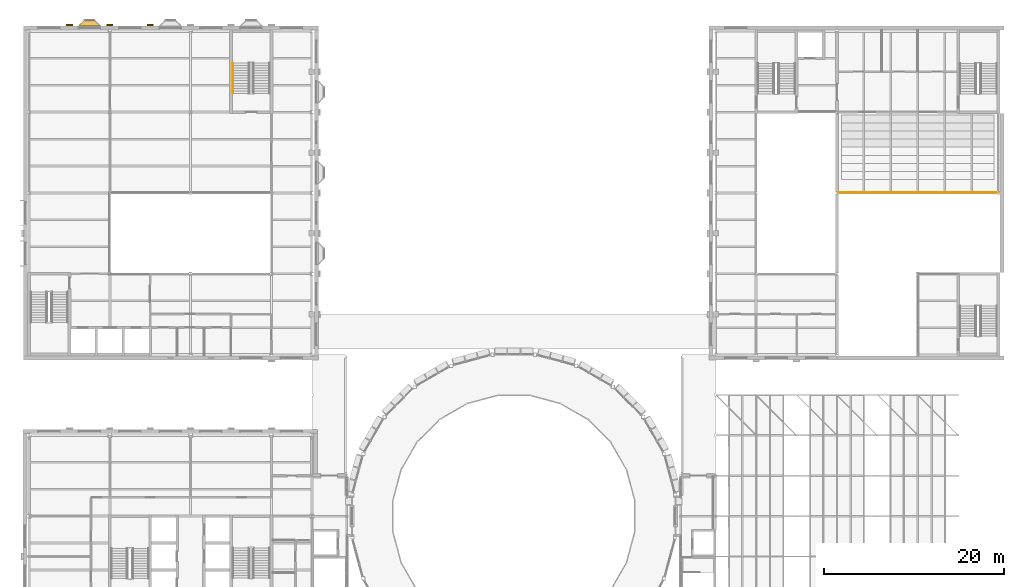
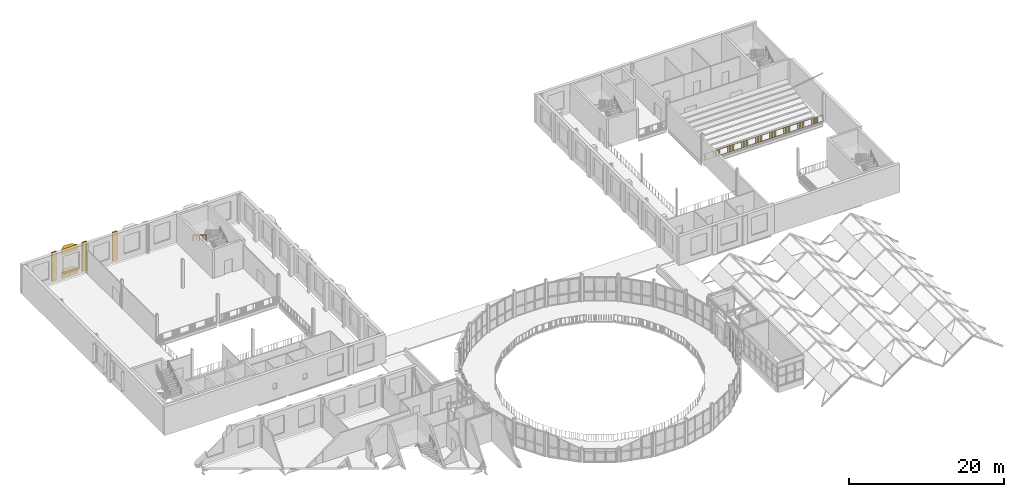
# One storey, part 71 of 74: 5 coverings, 2 railings.
"""IFC4 building model written with IfcOpenShell, lengths in metres."""

from ifc_helpers import new_model, si_unit, direction, frame, origin, origin_2d, place, context, subcontext, project, spatial, polyline, rectangle, circle, outline, extrude, material, layer, layer_set, type_object, element, save


model = new_model("IFC4")

# Units and contexts
model_context = context("Model", 3, precision=1e-05, world=origin(), true_north=direction((0.0, 1.0)))
body_context = subcontext(model_context, "Body", "Model", "MODEL_VIEW")
ifc_project = project(units=[si_unit("LENGTHUNIT", "METRE"), si_unit("AREAUNIT", "SQUARE_METRE"), si_unit("VOLUMEUNIT", "CUBIC_METRE"), si_unit("PLANEANGLEUNIT", "RADIAN"), si_unit("MASSUNIT", "GRAM", prefix="KILO")], contexts=[model_context])

# Site, building, storey
site_placement = place(None, origin())
site = spatial("IfcSite", under=ifc_project, at=site_placement, CompositionType="ELEMENT")
building_placement = place(site_placement, origin())
building = spatial("IfcBuilding", under=site, at=building_placement, Name="Hortulan Conservatory and Botanical Research Centre", CompositionType="ELEMENT")
storey_placement = place(building_placement, frame((0.0, 0.0, 6.0)))
storey = spatial("IfcBuildingStorey", under=building, at=storey_placement, Name="L01", CompositionType="ELEMENT", Elevation=6.0)

# Coverings
ifc_material_1 = material(Name="Faience-faced brickwork masonry", Category="masonry")
covering_type_1 = type_object("IfcCoveringType", Name="Faience Oriel Base", PredefinedType="CLADDING", material=ifc_material_1)
covering_1_placement = place(storey_placement, origin())
element("IfcCovering", 1, at=covering_1_placement, inside=storey, type_object=covering_type_1, Name="Oriel base", PredefinedType="CLADDING", context=body_context, shape_type="SweptSolid", body=[
    extrude(outline(polyline([(5.550048828125, 72.610595703125), (6.14990234375, 73.21044921875), (7.35009765625, 73.21044921875), (7.949951171875, 72.610595703125), (5.550048828125, 72.610595703125)])), origin(), (0.0, 0.0, 1.0), 0.89990234375),
])
covering_type_2 = type_object("IfcCoveringType", Name="Faience Oriel Frieze", PredefinedType="CLADDING", material=ifc_material_1)
covering_2_placement = place(storey_placement, frame((0.0, 0.0, 3.699951171875)))
element("IfcCovering", 2, at=covering_2_placement, inside=storey, type_object=covering_type_2, Name="Oriel frieze", PredefinedType="CLADDING", context=body_context, shape_type="SweptSolid", body=[
    extrude(outline(polyline([(5.550048828125, 72.610595703125), (6.14990234375, 73.21044921875), (7.35009765625, 73.21044921875), (7.949951171875, 72.610595703125), (5.550048828125, 72.610595703125)])), origin(), (0.0, 0.0, 1.0), 0.800048828125),
])

# Railing
ifc_material_2 = material(Name="Wrought iron guard, bronze-charcoal paint", Category="metal")
railing_type_1 = type_object("IfcRailingType", Name="Ironwork Void Guard 1100", PredefinedType="GUARDRAIL", material=ifc_material_2)
railing_1_placement = place(storey_placement, frame((90.19677734375, 54.06005859375, 0.0)))
element("IfcRailing", 3, at=railing_1_placement, inside=storey, type_object=railing_type_1, Name="Guard L01 Aud Hall L01 1 7", PredefinedType="GUARDRAIL", context=body_context, shape_type="SweptSolid", body=[
    extrude(circle(Radius=0.02392578125, at=origin_2d()), frame((0.0, 0.0, 1.076171875), z_axis=(1.0, 0.0, 0.0), x_axis=(0.0, 1.0, 0.0)), (0.0, 0.0, 1.0), 17.837646484375),
    extrude(circle(Radius=0.02392578125, at=origin_2d()), frame((0.0, 0.0, 0.1240234375), z_axis=(1.0, 0.0, 0.0), x_axis=(0.0, 1.0, 0.0)), (0.0, 0.0, 1.0), 17.837646484375),
    extrude(circle(Radius=0.008056640625, at=origin_2d()), frame((0.109375, 0.0, 0.148193359375)), (0.0, 0.0, 1.0), 0.90380859375),
    extrude(circle(Radius=0.008056640625, at=origin_2d()), frame((0.21875, 0.0, 0.148193359375)), (0.0, 0.0, 1.0), 0.90380859375),
    extrude(circle(Radius=0.008056640625, at=origin_2d()), frame((0.328369140625, 0.0, 0.148193359375)), (0.0, 0.0, 1.0), 0.90380859375),
    extrude(circle(Radius=0.008056640625, at=origin_2d()), frame((0.437744140625, 0.0, 0.148193359375)), (0.0, 0.0, 1.0), 0.90380859375),
    extrude(circle(Radius=0.008056640625, at=origin_2d()), frame((0.547119140625, 0.0, 0.148193359375)), (0.0, 0.0, 1.0), 0.90380859375),
    extrude(circle(Radius=0.008056640625, at=origin_2d()), frame((0.656494140625, 0.0, 0.148193359375)), (0.0, 0.0, 1.0), 0.90380859375),
    extrude(circle(Radius=0.008056640625, at=origin_2d()), frame((0.76611328125, 0.0, 0.148193359375)), (0.0, 0.0, 1.0), 0.90380859375),
    extrude(circle(Radius=0.008056640625, at=origin_2d()), frame((0.87548828125, 0.0, 0.148193359375)), (0.0, 0.0, 1.0), 0.90380859375),
    extrude(circle(Radius=0.008056640625, at=origin_2d()), frame((0.98486328125, 0.0, 0.148193359375)), (0.0, 0.0, 1.0), 0.90380859375),
    extrude(circle(Radius=0.008056640625, at=origin_2d()), frame((1.09423828125, 0.0, 0.148193359375)), (0.0, 0.0, 1.0), 0.90380859375),
    extrude(circle(Radius=0.008056640625, at=origin_2d()), frame((1.203857421875, 0.0, 0.148193359375)), (0.0, 0.0, 1.0), 0.90380859375),
    extrude(circle(Radius=0.008056640625, at=origin_2d()), frame((1.313232421875, 0.0, 0.148193359375)), (0.0, 0.0, 1.0), 0.90380859375),
    extrude(circle(Radius=0.008056640625, at=origin_2d()), frame((1.422607421875, 0.0, 0.148193359375)), (0.0, 0.0, 1.0), 0.90380859375),
    extrude(circle(Radius=0.008056640625, at=origin_2d()), frame((1.531982421875, 0.0, 0.148193359375)), (0.0, 0.0, 1.0), 0.90380859375),
    extrude(circle(Radius=0.008056640625, at=origin_2d()), frame((1.6416015625, 0.0, 0.148193359375)), (0.0, 0.0, 1.0), 0.90380859375),
    extrude(circle(Radius=0.008056640625, at=origin_2d()), frame((1.7509765625, 0.0, 0.148193359375)), (0.0, 0.0, 1.0), 0.90380859375),
    extrude(circle(Radius=0.008056640625, at=origin_2d()), frame((1.8603515625, 0.0, 0.148193359375)), (0.0, 0.0, 1.0), 0.90380859375),
    extrude(circle(Radius=0.008056640625, at=origin_2d()), frame((1.9697265625, 0.0, 0.148193359375)), (0.0, 0.0, 1.0), 0.90380859375),
    extrude(circle(Radius=0.008056640625, at=origin_2d()), frame((2.079345703125, 0.0, 0.148193359375)), (0.0, 0.0, 1.0), 0.90380859375),
    extrude(circle(Radius=0.008056640625, at=origin_2d()), frame((2.188720703125, 0.0, 0.148193359375)), (0.0, 0.0, 1.0), 0.90380859375),
    extrude(circle(Radius=0.008056640625, at=origin_2d()), frame((2.298095703125, 0.0, 0.148193359375)), (0.0, 0.0, 1.0), 0.90380859375),
    extrude(circle(Radius=0.008056640625, at=origin_2d()), frame((2.407470703125, 0.0, 0.148193359375)), (0.0, 0.0, 1.0), 0.90380859375),
    extrude(circle(Radius=0.008056640625, at=origin_2d()), frame((2.51708984375, 0.0, 0.148193359375)), (0.0, 0.0, 1.0), 0.90380859375),
    extrude(circle(Radius=0.008056640625, at=origin_2d()), frame((2.62646484375, 0.0, 0.148193359375)), (0.0, 0.0, 1.0), 0.90380859375),
    extrude(circle(Radius=0.008056640625, at=origin_2d()), frame((2.73583984375, 0.0, 0.148193359375)), (0.0, 0.0, 1.0), 0.90380859375),
    extrude(circle(Radius=0.008056640625, at=origin_2d()), frame((2.84521484375, 0.0, 0.148193359375)), (0.0, 0.0, 1.0), 0.90380859375),
    extrude(circle(Radius=0.008056640625, at=origin_2d()), frame((2.95458984375, 0.0, 0.148193359375)), (0.0, 0.0, 1.0), 0.90380859375),
    extrude(circle(Radius=0.008056640625, at=origin_2d()), frame((3.064208984375, 0.0, 0.148193359375)), (0.0, 0.0, 1.0), 0.90380859375),
    extrude(circle(Radius=0.008056640625, at=origin_2d()), frame((3.173583984375, 0.0, 0.148193359375)), (0.0, 0.0, 1.0), 0.90380859375),
    extrude(circle(Radius=0.008056640625, at=origin_2d()), frame((3.282958984375, 0.0, 0.148193359375)), (0.0, 0.0, 1.0), 0.90380859375),
    extrude(circle(Radius=0.008056640625, at=origin_2d()), frame((3.392333984375, 0.0, 0.148193359375)), (0.0, 0.0, 1.0), 0.90380859375),
    extrude(circle(Radius=0.008056640625, at=origin_2d()), frame((3.501953125, 0.0, 0.148193359375)), (0.0, 0.0, 1.0), 0.90380859375),
    extrude(circle(Radius=0.008056640625, at=origin_2d()), frame((3.611328125, 0.0, 0.148193359375)), (0.0, 0.0, 1.0), 0.90380859375),
    extrude(circle(Radius=0.008056640625, at=origin_2d()), frame((3.720703125, 0.0, 0.148193359375)), (0.0, 0.0, 1.0), 0.90380859375),
    extrude(circle(Radius=0.008056640625, at=origin_2d()), frame((3.830078125, 0.0, 0.148193359375)), (0.0, 0.0, 1.0), 0.90380859375),
    extrude(circle(Radius=0.008056640625, at=origin_2d()), frame((3.939697265625, 0.0, 0.148193359375)), (0.0, 0.0, 1.0), 0.90380859375),
    extrude(circle(Radius=0.008056640625, at=origin_2d()), frame((4.049072265625, 0.0, 0.148193359375)), (0.0, 0.0, 1.0), 0.90380859375),
    extrude(circle(Radius=0.008056640625, at=origin_2d()), frame((4.158447265625, 0.0, 0.148193359375)), (0.0, 0.0, 1.0), 0.90380859375),
    extrude(circle(Radius=0.008056640625, at=origin_2d()), frame((4.267822265625, 0.0, 0.148193359375)), (0.0, 0.0, 1.0), 0.90380859375),
    extrude(circle(Radius=0.008056640625, at=origin_2d()), frame((4.37744140625, 0.0, 0.148193359375)), (0.0, 0.0, 1.0), 0.90380859375),
    extrude(circle(Radius=0.008056640625, at=origin_2d()), frame((4.48681640625, 0.0, 0.148193359375)), (0.0, 0.0, 1.0), 0.90380859375),
    extrude(circle(Radius=0.008056640625, at=origin_2d()), frame((4.59619140625, 0.0, 0.148193359375)), (0.0, 0.0, 1.0), 0.90380859375),
    extrude(circle(Radius=0.008056640625, at=origin_2d()), frame((4.70556640625, 0.0, 0.148193359375)), (0.0, 0.0, 1.0), 0.90380859375),
    extrude(circle(Radius=0.008056640625, at=origin_2d()), frame((4.815185546875, 0.0, 0.148193359375)), (0.0, 0.0, 1.0), 0.90380859375),
    extrude(circle(Radius=0.008056640625, at=origin_2d()), frame((4.924560546875, 0.0, 0.148193359375)), (0.0, 0.0, 1.0), 0.90380859375),
    extrude(circle(Radius=0.008056640625, at=origin_2d()), frame((5.033935546875, 0.0, 0.148193359375)), (0.0, 0.0, 1.0), 0.90380859375),
    extrude(circle(Radius=0.008056640625, at=origin_2d()), frame((5.143310546875, 0.0, 0.148193359375)), (0.0, 0.0, 1.0), 0.90380859375),
    extrude(circle(Radius=0.008056640625, at=origin_2d()), frame((5.252685546875, 0.0, 0.148193359375)), (0.0, 0.0, 1.0), 0.90380859375),
    extrude(circle(Radius=0.008056640625, at=origin_2d()), frame((5.3623046875, 0.0, 0.148193359375)), (0.0, 0.0, 1.0), 0.90380859375),
    extrude(circle(Radius=0.008056640625, at=origin_2d()), frame((5.4716796875, 0.0, 0.148193359375)), (0.0, 0.0, 1.0), 0.90380859375),
    extrude(circle(Radius=0.008056640625, at=origin_2d()), frame((5.5810546875, 0.0, 0.148193359375)), (0.0, 0.0, 1.0), 0.90380859375),
    extrude(circle(Radius=0.008056640625, at=origin_2d()), frame((5.6904296875, 0.0, 0.148193359375)), (0.0, 0.0, 1.0), 0.90380859375),
    extrude(circle(Radius=0.008056640625, at=origin_2d()), frame((5.800048828125, 0.0, 0.148193359375)), (0.0, 0.0, 1.0), 0.90380859375),
    extrude(circle(Radius=0.008056640625, at=origin_2d()), frame((5.909423828125, 0.0, 0.148193359375)), (0.0, 0.0, 1.0), 0.90380859375),
    extrude(circle(Radius=0.008056640625, at=origin_2d()), frame((6.018798828125, 0.0, 0.148193359375)), (0.0, 0.0, 1.0), 0.90380859375),
    extrude(circle(Radius=0.008056640625, at=origin_2d()), frame((6.128173828125, 0.0, 0.148193359375)), (0.0, 0.0, 1.0), 0.90380859375),
    extrude(circle(Radius=0.008056640625, at=origin_2d()), frame((6.23779296875, 0.0, 0.148193359375)), (0.0, 0.0, 1.0), 0.90380859375),
    extrude(circle(Radius=0.008056640625, at=origin_2d()), frame((6.34716796875, 0.0, 0.148193359375)), (0.0, 0.0, 1.0), 0.90380859375),
    extrude(circle(Radius=0.008056640625, at=origin_2d()), frame((6.45654296875, 0.0, 0.148193359375)), (0.0, 0.0, 1.0), 0.90380859375),
    extrude(circle(Radius=0.008056640625, at=origin_2d()), frame((6.56591796875, 0.0, 0.148193359375)), (0.0, 0.0, 1.0), 0.90380859375),
    extrude(circle(Radius=0.008056640625, at=origin_2d()), frame((6.675537109375, 0.0, 0.148193359375)), (0.0, 0.0, 1.0), 0.90380859375),
    extrude(circle(Radius=0.008056640625, at=origin_2d()), frame((6.784912109375, 0.0, 0.148193359375)), (0.0, 0.0, 1.0), 0.90380859375),
    extrude(circle(Radius=0.008056640625, at=origin_2d()), frame((6.894287109375, 0.0, 0.148193359375)), (0.0, 0.0, 1.0), 0.90380859375),
    extrude(circle(Radius=0.008056640625, at=origin_2d()), frame((7.003662109375, 0.0, 0.148193359375)), (0.0, 0.0, 1.0), 0.90380859375),
    extrude(circle(Radius=0.008056640625, at=origin_2d()), frame((7.11328125, 0.0, 0.148193359375)), (0.0, 0.0, 1.0), 0.90380859375),
    extrude(circle(Radius=0.008056640625, at=origin_2d()), frame((7.22265625, 0.0, 0.148193359375)), (0.0, 0.0, 1.0), 0.90380859375),
    extrude(circle(Radius=0.008056640625, at=origin_2d()), frame((7.33203125, 0.0, 0.148193359375)), (0.0, 0.0, 1.0), 0.90380859375),
    extrude(circle(Radius=0.008056640625, at=origin_2d()), frame((7.44140625, 0.0, 0.148193359375)), (0.0, 0.0, 1.0), 0.90380859375),
    extrude(circle(Radius=0.008056640625, at=origin_2d()), frame((7.551025390625, 0.0, 0.148193359375)), (0.0, 0.0, 1.0), 0.90380859375),
    extrude(circle(Radius=0.008056640625, at=origin_2d()), frame((7.660400390625, 0.0, 0.148193359375)), (0.0, 0.0, 1.0), 0.90380859375),
    extrude(circle(Radius=0.008056640625, at=origin_2d()), frame((7.769775390625, 0.0, 0.148193359375)), (0.0, 0.0, 1.0), 0.90380859375),
    extrude(circle(Radius=0.008056640625, at=origin_2d()), frame((7.879150390625, 0.0, 0.148193359375)), (0.0, 0.0, 1.0), 0.90380859375),
    extrude(circle(Radius=0.008056640625, at=origin_2d()), frame((7.988525390625, 0.0, 0.148193359375)), (0.0, 0.0, 1.0), 0.90380859375),
    extrude(circle(Radius=0.008056640625, at=origin_2d()), frame((8.09814453125, 0.0, 0.148193359375)), (0.0, 0.0, 1.0), 0.90380859375),
    extrude(circle(Radius=0.008056640625, at=origin_2d()), frame((8.20751953125, 0.0, 0.148193359375)), (0.0, 0.0, 1.0), 0.90380859375),
    extrude(circle(Radius=0.008056640625, at=origin_2d()), frame((8.31689453125, 0.0, 0.148193359375)), (0.0, 0.0, 1.0), 0.90380859375),
    extrude(circle(Radius=0.008056640625, at=origin_2d()), frame((8.42626953125, 0.0, 0.148193359375)), (0.0, 0.0, 1.0), 0.90380859375),
    extrude(circle(Radius=0.008056640625, at=origin_2d()), frame((8.535888671875, 0.0, 0.148193359375)), (0.0, 0.0, 1.0), 0.90380859375),
    extrude(circle(Radius=0.008056640625, at=origin_2d()), frame((8.645263671875, 0.0, 0.148193359375)), (0.0, 0.0, 1.0), 0.90380859375),
    extrude(circle(Radius=0.008056640625, at=origin_2d()), frame((8.754638671875, 0.0, 0.148193359375)), (0.0, 0.0, 1.0), 0.90380859375),
    extrude(circle(Radius=0.008056640625, at=origin_2d()), frame((8.864013671875, 0.0, 0.148193359375)), (0.0, 0.0, 1.0), 0.90380859375),
    extrude(circle(Radius=0.008056640625, at=origin_2d()), frame((8.9736328125, 0.0, 0.148193359375)), (0.0, 0.0, 1.0), 0.90380859375),
    extrude(circle(Radius=0.008056640625, at=origin_2d()), frame((9.0830078125, 0.0, 0.148193359375)), (0.0, 0.0, 1.0), 0.90380859375),
    extrude(circle(Radius=0.008056640625, at=origin_2d()), frame((9.1923828125, 0.0, 0.148193359375)), (0.0, 0.0, 1.0), 0.90380859375),
    extrude(circle(Radius=0.008056640625, at=origin_2d()), frame((9.3017578125, 0.0, 0.148193359375)), (0.0, 0.0, 1.0), 0.90380859375),
    extrude(circle(Radius=0.008056640625, at=origin_2d()), frame((9.411376953125, 0.0, 0.148193359375)), (0.0, 0.0, 1.0), 0.90380859375),
    extrude(circle(Radius=0.008056640625, at=origin_2d()), frame((9.520751953125, 0.0, 0.148193359375)), (0.0, 0.0, 1.0), 0.90380859375),
    extrude(circle(Radius=0.008056640625, at=origin_2d()), frame((9.630126953125, 0.0, 0.148193359375)), (0.0, 0.0, 1.0), 0.90380859375),
    extrude(circle(Radius=0.008056640625, at=origin_2d()), frame((9.739501953125, 0.0, 0.148193359375)), (0.0, 0.0, 1.0), 0.90380859375),
    extrude(circle(Radius=0.008056640625, at=origin_2d()), frame((9.84912109375, 0.0, 0.148193359375)), (0.0, 0.0, 1.0), 0.90380859375),
    extrude(circle(Radius=0.008056640625, at=origin_2d()), frame((9.95849609375, 0.0, 0.148193359375)), (0.0, 0.0, 1.0), 0.90380859375),
    extrude(circle(Radius=0.008056640625, at=origin_2d()), frame((10.06787109375, 0.0, 0.148193359375)), (0.0, 0.0, 1.0), 0.90380859375),
    extrude(circle(Radius=0.008056640625, at=origin_2d()), frame((10.17724609375, 0.0, 0.148193359375)), (0.0, 0.0, 1.0), 0.90380859375),
    extrude(circle(Radius=0.008056640625, at=origin_2d()), frame((10.28662109375, 0.0, 0.148193359375)), (0.0, 0.0, 1.0), 0.90380859375),
    extrude(circle(Radius=0.008056640625, at=origin_2d()), frame((10.396240234375, 0.0, 0.148193359375)), (0.0, 0.0, 1.0), 0.90380859375),
    extrude(circle(Radius=0.008056640625, at=origin_2d()), frame((10.505615234375, 0.0, 0.148193359375)), (0.0, 0.0, 1.0), 0.90380859375),
    extrude(circle(Radius=0.008056640625, at=origin_2d()), frame((10.614990234375, 0.0, 0.148193359375)), (0.0, 0.0, 1.0), 0.90380859375),
    extrude(circle(Radius=0.008056640625, at=origin_2d()), frame((10.724365234375, 0.0, 0.148193359375)), (0.0, 0.0, 1.0), 0.90380859375),
    extrude(circle(Radius=0.008056640625, at=origin_2d()), frame((10.833984375, 0.0, 0.148193359375)), (0.0, 0.0, 1.0), 0.90380859375),
    extrude(circle(Radius=0.008056640625, at=origin_2d()), frame((10.943359375, 0.0, 0.148193359375)), (0.0, 0.0, 1.0), 0.90380859375),
    extrude(circle(Radius=0.008056640625, at=origin_2d()), frame((11.052734375, 0.0, 0.148193359375)), (0.0, 0.0, 1.0), 0.90380859375),
    extrude(circle(Radius=0.008056640625, at=origin_2d()), frame((11.162109375, 0.0, 0.148193359375)), (0.0, 0.0, 1.0), 0.90380859375),
    extrude(circle(Radius=0.008056640625, at=origin_2d()), frame((11.271728515625, 0.0, 0.148193359375)), (0.0, 0.0, 1.0), 0.90380859375),
    extrude(circle(Radius=0.008056640625, at=origin_2d()), frame((11.381103515625, 0.0, 0.148193359375)), (0.0, 0.0, 1.0), 0.90380859375),
    extrude(circle(Radius=0.008056640625, at=origin_2d()), frame((11.490478515625, 0.0, 0.148193359375)), (0.0, 0.0, 1.0), 0.90380859375),
    extrude(circle(Radius=0.008056640625, at=origin_2d()), frame((11.599853515625, 0.0, 0.148193359375)), (0.0, 0.0, 1.0), 0.90380859375),
    extrude(circle(Radius=0.008056640625, at=origin_2d()), frame((11.70947265625, 0.0, 0.148193359375)), (0.0, 0.0, 1.0), 0.90380859375),
    extrude(circle(Radius=0.008056640625, at=origin_2d()), frame((11.81884765625, 0.0, 0.148193359375)), (0.0, 0.0, 1.0), 0.90380859375),
    extrude(circle(Radius=0.008056640625, at=origin_2d()), frame((11.92822265625, 0.0, 0.148193359375)), (0.0, 0.0, 1.0), 0.90380859375),
    extrude(circle(Radius=0.008056640625, at=origin_2d()), frame((12.03759765625, 0.0, 0.148193359375)), (0.0, 0.0, 1.0), 0.90380859375),
    extrude(circle(Radius=0.008056640625, at=origin_2d()), frame((12.147216796875, 0.0, 0.148193359375)), (0.0, 0.0, 1.0), 0.90380859375),
    extrude(circle(Radius=0.008056640625, at=origin_2d()), frame((12.256591796875, 0.0, 0.148193359375)), (0.0, 0.0, 1.0), 0.90380859375),
    extrude(circle(Radius=0.008056640625, at=origin_2d()), frame((12.365966796875, 0.0, 0.148193359375)), (0.0, 0.0, 1.0), 0.90380859375),
    extrude(circle(Radius=0.008056640625, at=origin_2d()), frame((12.475341796875, 0.0, 0.148193359375)), (0.0, 0.0, 1.0), 0.90380859375),
    extrude(circle(Radius=0.008056640625, at=origin_2d()), frame((12.5849609375, 0.0, 0.148193359375)), (0.0, 0.0, 1.0), 0.90380859375),
    extrude(circle(Radius=0.008056640625, at=origin_2d()), frame((12.6943359375, 0.0, 0.148193359375)), (0.0, 0.0, 1.0), 0.90380859375),
    extrude(circle(Radius=0.008056640625, at=origin_2d()), frame((12.8037109375, 0.0, 0.148193359375)), (0.0, 0.0, 1.0), 0.90380859375),
    extrude(circle(Radius=0.008056640625, at=origin_2d()), frame((12.9130859375, 0.0, 0.148193359375)), (0.0, 0.0, 1.0), 0.90380859375),
    extrude(circle(Radius=0.008056640625, at=origin_2d()), frame((13.0224609375, 0.0, 0.148193359375)), (0.0, 0.0, 1.0), 0.90380859375),
    extrude(circle(Radius=0.008056640625, at=origin_2d()), frame((13.132080078125, 0.0, 0.148193359375)), (0.0, 0.0, 1.0), 0.90380859375),
    extrude(circle(Radius=0.008056640625, at=origin_2d()), frame((13.241455078125, 0.0, 0.148193359375)), (0.0, 0.0, 1.0), 0.90380859375),
    extrude(circle(Radius=0.008056640625, at=origin_2d()), frame((13.350830078125, 0.0, 0.148193359375)), (0.0, 0.0, 1.0), 0.90380859375),
    extrude(circle(Radius=0.008056640625, at=origin_2d()), frame((13.460205078125, 0.0, 0.148193359375)), (0.0, 0.0, 1.0), 0.90380859375),
    extrude(circle(Radius=0.008056640625, at=origin_2d()), frame((13.56982421875, 0.0, 0.148193359375)), (0.0, 0.0, 1.0), 0.90380859375),
    extrude(circle(Radius=0.008056640625, at=origin_2d()), frame((13.67919921875, 0.0, 0.148193359375)), (0.0, 0.0, 1.0), 0.90380859375),
    extrude(circle(Radius=0.008056640625, at=origin_2d()), frame((13.78857421875, 0.0, 0.148193359375)), (0.0, 0.0, 1.0), 0.90380859375),
    extrude(circle(Radius=0.008056640625, at=origin_2d()), frame((13.89794921875, 0.0, 0.148193359375)), (0.0, 0.0, 1.0), 0.90380859375),
    extrude(circle(Radius=0.008056640625, at=origin_2d()), frame((14.007568359375, 0.0, 0.148193359375)), (0.0, 0.0, 1.0), 0.90380859375),
    extrude(circle(Radius=0.008056640625, at=origin_2d()), frame((14.116943359375, 0.0, 0.148193359375)), (0.0, 0.0, 1.0), 0.90380859375),
    extrude(circle(Radius=0.008056640625, at=origin_2d()), frame((14.226318359375, 0.0, 0.148193359375)), (0.0, 0.0, 1.0), 0.90380859375),
    extrude(circle(Radius=0.008056640625, at=origin_2d()), frame((14.335693359375, 0.0, 0.148193359375)), (0.0, 0.0, 1.0), 0.90380859375),
    extrude(circle(Radius=0.008056640625, at=origin_2d()), frame((14.4453125, 0.0, 0.148193359375)), (0.0, 0.0, 1.0), 0.90380859375),
    extrude(circle(Radius=0.008056640625, at=origin_2d()), frame((14.5546875, 0.0, 0.148193359375)), (0.0, 0.0, 1.0), 0.90380859375),
    extrude(circle(Radius=0.008056640625, at=origin_2d()), frame((14.6640625, 0.0, 0.148193359375)), (0.0, 0.0, 1.0), 0.90380859375),
    extrude(circle(Radius=0.008056640625, at=origin_2d()), frame((14.7734375, 0.0, 0.148193359375)), (0.0, 0.0, 1.0), 0.90380859375),
    extrude(circle(Radius=0.008056640625, at=origin_2d()), frame((14.883056640625, 0.0, 0.148193359375)), (0.0, 0.0, 1.0), 0.90380859375),
    extrude(circle(Radius=0.008056640625, at=origin_2d()), frame((14.992431640625, 0.0, 0.148193359375)), (0.0, 0.0, 1.0), 0.90380859375),
    extrude(circle(Radius=0.008056640625, at=origin_2d()), frame((15.101806640625, 0.0, 0.148193359375)), (0.0, 0.0, 1.0), 0.90380859375),
    extrude(circle(Radius=0.008056640625, at=origin_2d()), frame((15.211181640625, 0.0, 0.148193359375)), (0.0, 0.0, 1.0), 0.90380859375),
    extrude(circle(Radius=0.008056640625, at=origin_2d()), frame((15.320556640625, 0.0, 0.148193359375)), (0.0, 0.0, 1.0), 0.90380859375),
    extrude(circle(Radius=0.008056640625, at=origin_2d()), frame((15.43017578125, 0.0, 0.148193359375)), (0.0, 0.0, 1.0), 0.90380859375),
    extrude(circle(Radius=0.008056640625, at=origin_2d()), frame((15.53955078125, 0.0, 0.148193359375)), (0.0, 0.0, 1.0), 0.90380859375),
    extrude(circle(Radius=0.008056640625, at=origin_2d()), frame((15.64892578125, 0.0, 0.148193359375)), (0.0, 0.0, 1.0), 0.90380859375),
    extrude(circle(Radius=0.008056640625, at=origin_2d()), frame((15.75830078125, 0.0, 0.148193359375)), (0.0, 0.0, 1.0), 0.90380859375),
    extrude(circle(Radius=0.008056640625, at=origin_2d()), frame((15.867919921875, 0.0, 0.148193359375)), (0.0, 0.0, 1.0), 0.90380859375),
    extrude(circle(Radius=0.008056640625, at=origin_2d()), frame((15.977294921875, 0.0, 0.148193359375)), (0.0, 0.0, 1.0), 0.90380859375),
    extrude(circle(Radius=0.008056640625, at=origin_2d()), frame((16.086669921875, 0.0, 0.148193359375)), (0.0, 0.0, 1.0), 0.90380859375),
    extrude(circle(Radius=0.008056640625, at=origin_2d()), frame((16.196044921875, 0.0, 0.148193359375)), (0.0, 0.0, 1.0), 0.90380859375),
    extrude(circle(Radius=0.008056640625, at=origin_2d()), frame((16.3056640625, 0.0, 0.148193359375)), (0.0, 0.0, 1.0), 0.90380859375),
    extrude(circle(Radius=0.008056640625, at=origin_2d()), frame((16.4150390625, 0.0, 0.148193359375)), (0.0, 0.0, 1.0), 0.90380859375),
    extrude(circle(Radius=0.008056640625, at=origin_2d()), frame((16.5244140625, 0.0, 0.148193359375)), (0.0, 0.0, 1.0), 0.90380859375),
    extrude(circle(Radius=0.008056640625, at=origin_2d()), frame((16.6337890625, 0.0, 0.148193359375)), (0.0, 0.0, 1.0), 0.90380859375),
    extrude(circle(Radius=0.008056640625, at=origin_2d()), frame((16.743408203125, 0.0, 0.148193359375)), (0.0, 0.0, 1.0), 0.90380859375),
    extrude(circle(Radius=0.008056640625, at=origin_2d()), frame((16.852783203125, 0.0, 0.148193359375)), (0.0, 0.0, 1.0), 0.90380859375),
    extrude(circle(Radius=0.008056640625, at=origin_2d()), frame((16.962158203125, 0.0, 0.148193359375)), (0.0, 0.0, 1.0), 0.90380859375),
    extrude(circle(Radius=0.008056640625, at=origin_2d()), frame((17.071533203125, 0.0, 0.148193359375)), (0.0, 0.0, 1.0), 0.90380859375),
    extrude(circle(Radius=0.008056640625, at=origin_2d()), frame((17.18115234375, 0.0, 0.148193359375)), (0.0, 0.0, 1.0), 0.90380859375),
    extrude(circle(Radius=0.008056640625, at=origin_2d()), frame((17.29052734375, 0.0, 0.148193359375)), (0.0, 0.0, 1.0), 0.90380859375),
    extrude(circle(Radius=0.008056640625, at=origin_2d()), frame((17.39990234375, 0.0, 0.148193359375)), (0.0, 0.0, 1.0), 0.90380859375),
    extrude(circle(Radius=0.008056640625, at=origin_2d()), frame((17.50927734375, 0.0, 0.148193359375)), (0.0, 0.0, 1.0), 0.90380859375),
    extrude(circle(Radius=0.008056640625, at=origin_2d()), frame((17.618896484375, 0.0, 0.148193359375)), (0.0, 0.0, 1.0), 0.90380859375),
    extrude(circle(Radius=0.008056640625, at=origin_2d()), frame((17.728271484375, 0.0, 0.148193359375)), (0.0, 0.0, 1.0), 0.90380859375),
    extrude(circle(Radius=0.02099609375, at=origin_2d()), origin(), (0.0, 0.0, 1.0), 1.052001953125),
    extrude(circle(Radius=0.02099609375, at=origin_2d()), frame((1.189208984375, 0.0, 0.0)), (0.0, 0.0, 1.0), 1.052001953125),
    extrude(circle(Radius=0.02099609375, at=origin_2d()), frame((2.37841796875, 0.0, 0.0)), (0.0, 0.0, 1.0), 1.052001953125),
    extrude(circle(Radius=0.02099609375, at=origin_2d()), frame((3.567626953125, 0.0, 0.0)), (0.0, 0.0, 1.0), 1.052001953125),
    extrude(circle(Radius=0.02099609375, at=origin_2d()), frame((4.756591796875, 0.0, 0.0)), (0.0, 0.0, 1.0), 1.052001953125),
    extrude(circle(Radius=0.02099609375, at=origin_2d()), frame((5.94580078125, 0.0, 0.0)), (0.0, 0.0, 1.0), 1.052001953125),
    extrude(circle(Radius=0.02099609375, at=origin_2d()), frame((7.135009765625, 0.0, 0.0)), (0.0, 0.0, 1.0), 1.052001953125),
    extrude(circle(Radius=0.02099609375, at=origin_2d()), frame((8.32421875, 0.0, 0.0)), (0.0, 0.0, 1.0), 1.052001953125),
    extrude(circle(Radius=0.02099609375, at=origin_2d()), frame((9.513427734375, 0.0, 0.0)), (0.0, 0.0, 1.0), 1.052001953125),
    extrude(circle(Radius=0.02099609375, at=origin_2d()), frame((10.70263671875, 0.0, 0.0)), (0.0, 0.0, 1.0), 1.052001953125),
    extrude(circle(Radius=0.02099609375, at=origin_2d()), frame((11.891845703125, 0.0, 0.0)), (0.0, 0.0, 1.0), 1.052001953125),
    extrude(circle(Radius=0.02099609375, at=origin_2d()), frame((13.0810546875, 0.0, 0.0)), (0.0, 0.0, 1.0), 1.052001953125),
    extrude(circle(Radius=0.02099609375, at=origin_2d()), frame((14.27001953125, 0.0, 0.0)), (0.0, 0.0, 1.0), 1.052001953125),
    extrude(circle(Radius=0.02099609375, at=origin_2d()), frame((15.459228515625, 0.0, 0.0)), (0.0, 0.0, 1.0), 1.052001953125),
    extrude(circle(Radius=0.02099609375, at=origin_2d()), frame((16.6484375, 0.0, 0.0)), (0.0, 0.0, 1.0), 1.052001953125),
    extrude(circle(Radius=0.02099609375, at=origin_2d()), frame((17.837646484375, 0.0, 0.0)), (0.0, 0.0, 1.0), 1.052001953125),
])

# Coverings
ifc_material_3 = material(Name="Sandstone masonry (Hawkesbury yellow block)", Category="masonry")
ifc_layer = layer(ifc_material_3, 0.199951171875)
ifc_layer_set = layer_set([ifc_layer], Name="Sandstone Pilaster 700x200")
covering_type_3 = type_object("IfcCoveringType", Name="Sandstone Pilaster 700x200", PredefinedType="CLADDING", material=ifc_layer_set)
for number, where, z_axis, x_axis, name in (
    (4, (4.5, 72.71044921875, 0.0), (0.0, 0.0, 1.0), (1.0, 0.0, 0.0), "Pier"),
    (5, (9.0, 72.71044921875, 0.0), (0.0, 0.0, 1.0), (1.0, 0.0, 0.0), "Pier"),
    (6, (13.5, 72.71044921875, 0.0), (0.0, 0.0, 1.0), (1.0, 0.0, 0.0), "Pier"),
):
    element("IfcCovering", number, at=place(storey_placement, frame(where, z_axis=z_axis, x_axis=x_axis)), inside=storey, type_object=covering_type_3, Name=name, PredefinedType="CLADDING", context=body_context, shape_type="SweptSolid", body=[
        extrude(rectangle(XDim=0.699951171875, YDim=0.199951171875, at=origin_2d()), origin(), (0.0, 0.0, 1.0), 4.5),
    ])

# Railing
ifc_material_4 = material(Name="Bronze handrail, polished", Category="metal")
railing_type_2 = type_object("IfcRailingType", Name="Stair Handrail 900", PredefinedType="HANDRAIL", material=ifc_material_4)
railing_2_placement = place(storey_placement, frame((22.699951171875, 68.4599609375, 2.423095703125)))
element("IfcRailing", 7, at=railing_2_placement, inside=storey, type_object=railing_type_2, Name="Handrail V2 L01 stair 2", PredefinedType="HANDRAIL", context=body_context, shape_type="SweptSolid", body=[
    extrude(circle(Radius=0.02392578125, at=origin_2d()), frame((0.0, 0.0, 0.8759765625), z_axis=(0.0, -0.850606129759, 0.525803396734), x_axis=(1.0, 0.0, 0.0)), (0.0, 0.0, 1.0), 3.949951171875),
    extrude(circle(Radius=0.02099609375, at=origin_2d()), origin(), (0.0, 0.0, 1.0), 0.851806640625),
    extrude(circle(Radius=0.02099609375, at=origin_2d()), frame((0.0, -0.83984375, 0.519287109375)), (0.0, 0.0, 1.0), 0.851806640625),
    extrude(circle(Radius=0.02099609375, at=origin_2d()), frame((0.0, -1.679931640625, 1.03857421875)), (0.0, 0.0, 1.0), 0.851806640625),
    extrude(circle(Radius=0.02099609375, at=origin_2d()), frame((0.0, -2.52001953125, 1.5576171875)), (0.0, 0.0, 1.0), 0.851806640625),
    extrude(circle(Radius=0.02099609375, at=origin_2d()), frame((0.0, -3.35986328125, 2.076904296875)), (0.0, 0.0, 1.0), 0.851806640625),
])

save(model, "model.ifc")
